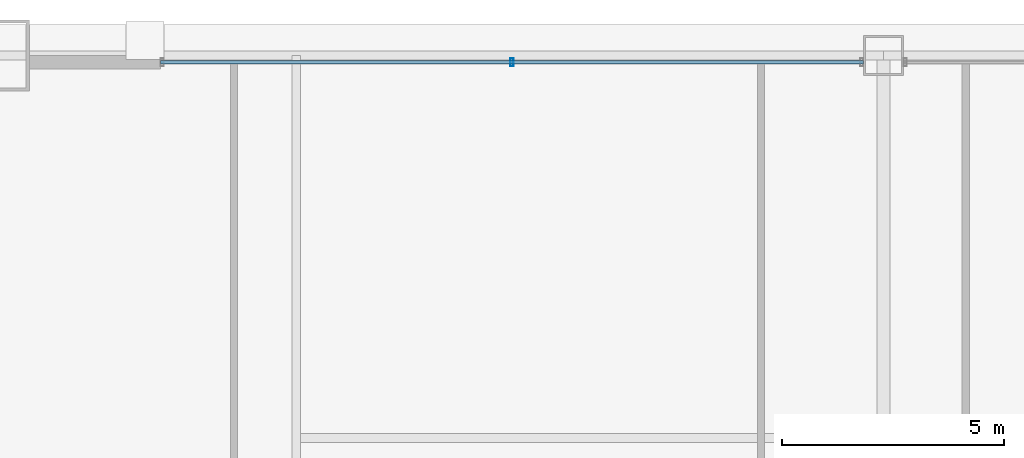
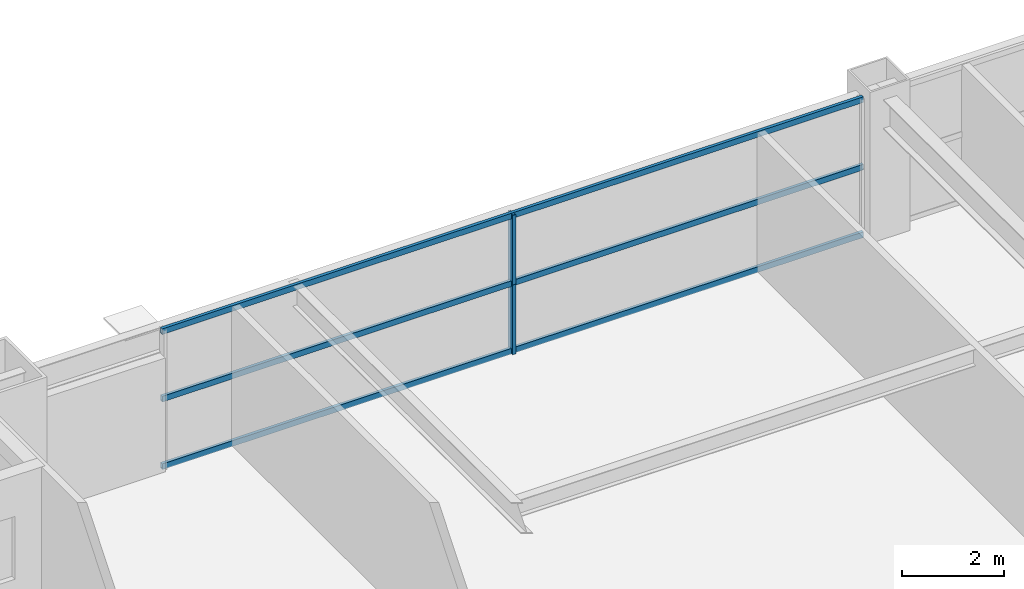
# One storey, part 24 of 38: 5 members, 1 element without a shape of its own.
"""IFC4 building model written with IfcOpenShell, lengths in metres."""

from ifc_helpers import new_model, si_unit, direction, frame, origin, origin_2d, place, context, subcontext, project, spatial, hollow_rectangle, extrude, source, transform, mapped, material, layer, layer_set, material_profile, profile_set, type_object, element, aggregate, save


model = new_model("IFC4")

# Units and contexts
model_context = context("Model", 3, precision=1e-05, world=origin(), true_north=direction((0.0, 1.0)))
body_context = subcontext(model_context, "Body", "Model", "MODEL_VIEW")
ifc_project = project(units=[si_unit("LENGTHUNIT", "METRE"), si_unit("AREAUNIT", "SQUARE_METRE"), si_unit("VOLUMEUNIT", "CUBIC_METRE"), si_unit("PLANEANGLEUNIT", "RADIAN"), si_unit("MASSUNIT", "GRAM", prefix="KILO"), si_unit("THERMODYNAMICTEMPERATUREUNIT", "KELVIN"), si_unit("POWERUNIT", "WATT")], contexts=[model_context])

# Site, building, storey
site_placement = place(None, origin())
site = spatial("IfcSite", under=ifc_project, at=site_placement, CompositionType="ELEMENT")
building_placement = place(site_placement, origin())
building = spatial("IfcBuilding", under=site, at=building_placement, Name="Yuzanri Waterfront Tower", CompositionType="ELEMENT")
storey_placement = place(building_placement, frame((0.0, 0.0, 126.199951171875)))
storey = spatial("IfcBuildingStorey", under=building, at=storey_placement, Name="L33", CompositionType="ELEMENT", Elevation=126.199951171875)

# Curtain wall, members
ifc_material_1 = material(Name="Anodized Architectural Bronze", Category="metal")
ifc_layer = layer(ifc_material_1, 0.159912109375)
ifc_layer_set = layer_set([ifc_layer], Name="Anodized Architectural Bronze")
curtain_wall_type = type_object("IfcCurtainWallType", Name="Anodized Bronze Hotel Upper-Tier Solar-Control Unitized Curtain Wall 7800", PredefinedType="NOTDEFINED", material=ifc_layer_set)
curtain_wall_placement = place(storey_placement, origin())
curtain_wall = element("IfcCurtainWall", 1, at=curtain_wall_placement, inside=storey, type_object=curtain_wall_type, Name="L33 Curtain Wall CW-L33-NL", PredefinedType="NOTDEFINED")
ifc_material_2 = material(Name="Anodized Architectural Bronze", Category="metal")
ifc_material_profile_1 = material_profile(ifc_material_2, hollow_rectangle(XDim=0.070068359375, YDim=0.179931640625, WallThickness=0.00390625, at=origin_2d()), Name="CWM 70x180")
ifc_profile_set_1 = profile_set([ifc_material_profile_1], Name="Anodized Architectural Bronze")
member_type_1 = type_object("IfcMemberType", Name="Anodized Bronze Standard Curtain-Wall Mullion 70x180", PredefinedType="MULLION", material=ifc_profile_set_1)
shared_shape_1 = source(origin(), body_context, "Body", "SweptSolid", [
    extrude(hollow_rectangle(XDim=0.070068359375, YDim=0.179931640625, WallThickness=0.00390625, at=origin_2d()), origin(), (0.0, 0.0, 1.0), 1.657958984375),
])
member_1_placement = place(storey_placement, frame((28.64990234375, 49.25, 0.0), z_axis=(0.0, 0.0, 1.0), x_axis=(1.0, 0.0, 0.0)))
member_1 = element("IfcMember", 2, at=member_1_placement, type_object=member_type_1, Name="CW-L33-NL Lower Mullion 01", PredefinedType="MULLION", context=body_context, shape_type="MappedRepresentation", body=[
    mapped(shared_shape_1, transform((0.0, 0.0, 0.0), scale=1.0)),
])
member_2_placement = place(storey_placement, frame((28.64990234375, 49.25, 1.662109375), z_axis=(0.0, 0.0, 1.0), x_axis=(1.0, 0.0, 0.0)))
member_2 = element("IfcMember", 3, at=member_2_placement, type_object=member_type_1, Name="CW-L33-NL Upper Mullion 01", PredefinedType="MULLION", context=body_context, shape_type="MappedRepresentation", body=[
    mapped(shared_shape_1, transform((0.0, 0.0, 0.0), scale=1.0)),
])
ifc_material_3 = material(Name="Anodized Architectural Bronze", Category="metal")
ifc_material_profile_2 = material_profile(ifc_material_3, hollow_rectangle(XDim=0.070068359375, YDim=0.135009765625, WallThickness=0.00341796875, at=origin_2d()), Name="CWT 70x135")
ifc_profile_set_2 = profile_set([ifc_material_profile_2], Name="Anodized Architectural Bronze")
member_type_2 = type_object("IfcMemberType", Name="Anodized Bronze Standard Curtain-Wall Transom 70x135", PredefinedType="USERDEFINED", material=ifc_profile_set_2)
shared_shape_2 = source(origin(), body_context, "Body", "SweptSolid", [
    extrude(hollow_rectangle(XDim=0.070068359375, YDim=0.135009765625, WallThickness=0.00341796875, at=origin_2d()), origin(), (0.0, 0.0, 1.0), 15.800048828125),
])
member_3_placement = place(storey_placement, frame((20.75, 49.25, 0.050048828125), z_axis=(1.0, 0.0, 0.0), x_axis=(0.0, 1.0, 0.0)))
member_3 = element("IfcMember", 4, at=member_3_placement, type_object=member_type_2, Name="CW-L33-NL Transom 1", ObjectType="TRANSOM", PredefinedType="USERDEFINED", context=body_context, shape_type="MappedRepresentation", body=[
    mapped(shared_shape_2, transform((0.0, 0.0, 0.0), scale=1.0)),
])
member_4_placement = place(storey_placement, frame((20.75, 49.25, 1.66015625), z_axis=(1.0, 0.0, 0.0), x_axis=(0.0, 1.0, 0.0)))
member_4 = element("IfcMember", 5, at=member_4_placement, type_object=member_type_2, Name="CW-L33-NL Transom 2", ObjectType="TRANSOM", PredefinedType="USERDEFINED", context=body_context, shape_type="MappedRepresentation", body=[
    mapped(shared_shape_2, transform((0.0, 0.0, 0.0), scale=1.0)),
])
member_5_placement = place(storey_placement, frame((20.75, 49.25, 3.27001953125), z_axis=(1.0, 0.0, 0.0), x_axis=(0.0, 1.0, 0.0)))
member_5 = element("IfcMember", 6, at=member_5_placement, type_object=member_type_2, Name="CW-L33-NL Transom 3", ObjectType="TRANSOM", PredefinedType="USERDEFINED", context=body_context, shape_type="MappedRepresentation", body=[
    mapped(shared_shape_2, transform((0.0, 0.0, 0.0), scale=1.0)),
])
aggregate(curtain_wall, [member_1, member_2, member_3, member_4, member_5])

save(model, "model.ifc")
